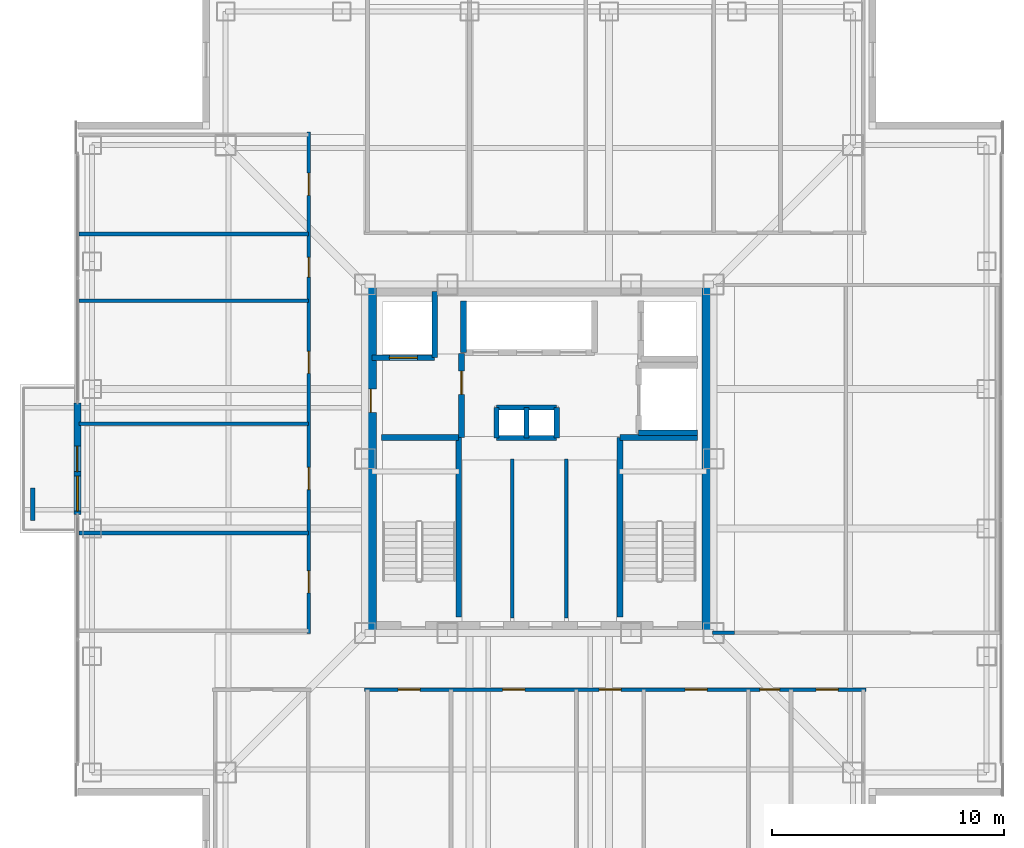
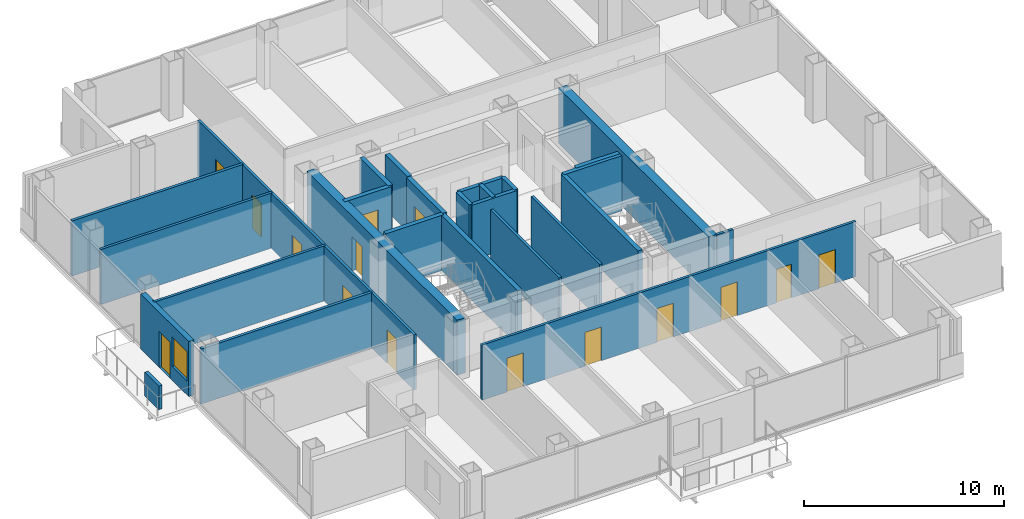
# One storey, part 11 of 16: 27 walls, 15 doors, 1 window, 16 openings.
"""IFC4 building model written with IfcOpenShell, lengths in metres."""

import ifcopenshell
import ifcopenshell.guid

model = None  # the IFC model being written
_history = None  # IfcOwnerHistory: only IFC2X3 demands one
_inside = {}  # id of a spatial element -> (the spatial element, [elements in it])
_under = {}  # id of a project, library or spatial element -> (it, [spatial elements below it])
_declared = {}  # id of a project -> (the project, [libraries it declares])
_typed = {}  # id of a type object -> (the type object, [elements of that type])
_made_of = {}  # id of a material, layer set ... -> (it, [elements and type objects made of it])


def new_model(schema):
    """Start an empty IFC model of exactly this schema.

    Asked for "IFC4X3", IfcOpenShell would pick the latest addendum, in which some entities
    have other attributes; the version numbers below select the first issue.
    IFC2X3 requires an IfcOwnerHistory on every rooted entity: one is made here for all.
    """
    global model, _history
    if schema == "IFC4X3":
        model = ifcopenshell.file(schema_version=(4, 3, 0, 0))
    else:
        model = ifcopenshell.file(schema=schema)
    _inside.clear()
    _under.clear()
    _declared.clear()
    _typed.clear()
    _made_of.clear()
    _history = None
    if model.schema == "IFC2X3":
        org = make("IfcOrganization", Name="unknown")
        user = make(
            "IfcPersonAndOrganization",
            ThePerson=make("IfcPerson", FamilyName="unknown"),
            TheOrganization=org,
        )
        app = make(
            "IfcApplication",
            ApplicationDeveloper=org,
            Version="unknown",
            ApplicationFullName="unknown",
            ApplicationIdentifier="unknown",
        )
        _history = make(
            "IfcOwnerHistory",
            OwningUser=user,
            OwningApplication=app,
            ChangeAction="ADDED",
            CreationDate=0,
        )
    return model


def make(cls, **values):
    """One entity of the class cls with the attributes given. An attribute that is None is left unset."""
    return model.create_entity(
        cls, **{name: value for name, value in values.items() if value is not None}
    )


def rooted(cls, **values):
    """An entity with a GlobalId (a new one), such as an element, a storey or a relation."""
    return make(cls, GlobalId=ifcopenshell.guid.new(), OwnerHistory=_history, **values)


def si_unit(unit_type, name, prefix=None):
    """IfcSIUnit, for example si_unit("LENGTHUNIT", "METRE", prefix="MILLI")."""
    return make("IfcSIUnit", UnitType=unit_type, Prefix=prefix, Name=name)


def assignment(units):
    """IfcUnitAssignment: the units of a project."""
    return None if units is None else make("IfcUnitAssignment", Units=units)


def point(xyz):
    """IfcCartesianPoint."""
    return None if xyz is None else make("IfcCartesianPoint", Coordinates=xyz)


def direction(xyz):
    """IfcDirection."""
    return None if xyz is None else make("IfcDirection", DirectionRatios=xyz)


def frame(location, z_axis=None, x_axis=None):
    """IfcAxis2Placement3D, a coordinate frame: its origin and axes. An axis left out is left unset."""
    return make(
        "IfcAxis2Placement3D",
        Location=point(location),
        Axis=direction(z_axis),
        RefDirection=direction(x_axis),
    )


def frame_2d(location, x_axis=None):
    """IfcAxis2Placement2D, a coordinate frame in the plane: its origin and x axis."""
    return make(
        "IfcAxis2Placement2D", Location=point(location), RefDirection=direction(x_axis)
    )


def origin():
    """The frame at (0, 0, 0) with its axes left unset."""
    return frame((0.0, 0.0, 0.0))


def place(relative_to, where):
    """IfcLocalPlacement: puts the frame where relative to a parent placement (None: the world)."""
    return make(
        "IfcLocalPlacement", PlacementRelTo=relative_to, RelativePlacement=where
    )


def context(
    kind, dimensions, precision=None, world=None, true_north=None, identifier=None
):
    """IfcGeometricRepresentationContext, for example the 3D "Model" context."""
    return make(
        "IfcGeometricRepresentationContext",
        ContextIdentifier=identifier,
        ContextType=kind,
        CoordinateSpaceDimension=dimensions,
        Precision=precision,
        WorldCoordinateSystem=world,
        TrueNorth=true_north,
    )


def subcontext(parent, identifier, kind, view, scale=None):
    """IfcGeometricRepresentationSubContext, for example "Body" below "Model"."""
    return make(
        "IfcGeometricRepresentationSubContext",
        ContextIdentifier=identifier,
        ContextType=kind,
        ParentContext=parent,
        TargetScale=scale,
        TargetView=view,
    )


def project(units=None, contexts=None):
    """IfcProject with its units and contexts."""
    return rooted(
        "IfcProject",
        Name="project",
        RepresentationContexts=contexts,
        UnitsInContext=assignment(units),
    )


def spatial(cls, under=None, at=None, **own):
    """A site, building, storey or space (cls), placed at a placement, below another one or the project."""
    s = rooted(cls, ObjectPlacement=at, **own)
    if under is not None:
        _under.setdefault(under.id(), (under, []))[1].append(s)
    return s


def profile(cls, at=None, kind="AREA", **sizes):
    """A parametric profile (cls). Its sizes go by their IFC names, for example OverallWidth=200.0."""
    return make(cls, ProfileType=kind, Position=at, **sizes)


def rectangle(**sizes):
    """IfcRectangleProfileDef."""
    return profile("IfcRectangleProfileDef", **sizes)


def extrude(swept, where, along, depth):
    """IfcExtrudedAreaSolid: the profile swept, set in the frame where, extruded along a direction by depth."""
    return make(
        "IfcExtrudedAreaSolid",
        SweptArea=swept,
        Position=where,
        ExtrudedDirection=direction(along),
        Depth=depth,
    )


def shape(context_of_items, identifier, shape_type, items):
    """IfcShapeRepresentation: the items that make up one representation, for example the "Body"."""
    return make(
        "IfcShapeRepresentation",
        ContextOfItems=context_of_items,
        RepresentationIdentifier=identifier,
        RepresentationType=shape_type,
        Items=items,
    )


def material(Name=None, Category=None):
    """IfcMaterial."""
    return make("IfcMaterial", Name=Name, Category=Category)


def layer(
    of_material, thickness, ventilated=None, Name=None, Category=None, Priority=None
):
    """IfcMaterialLayer: one layer of a wall or slab, of a material (None: an air gap)."""
    return make(
        "IfcMaterialLayer",
        Material=of_material,
        LayerThickness=thickness,
        IsVentilated=ventilated,
        Name=Name,
        Category=Category,
        Priority=Priority,
    )


def layer_set(layers, Name=None):
    """IfcMaterialLayerSet."""
    return make("IfcMaterialLayerSet", MaterialLayers=layers, LayerSetName=Name)


def made_of(thing, what):
    """Note that an element or type object is made of a material, layer set ...; save() writes the relation."""
    if what is not None:
        _made_of.setdefault(what.id(), (what, []))[1].append(thing)
    return thing


def type_object(cls, material=None, **own):
    """A type object (cls), such as IfcWallType, which elements share."""
    return made_of(rooted(cls, **own), material)


def element(
    cls,
    number,
    at=None,
    inside=None,
    cuts=None,
    type_object=None,
    material=None,
    context=None,
    identifier="Body",
    shape_type=None,
    held_by="IfcProductDefinitionShape",
    body=None,
    shapes=None,
    **own,
):
    """One element of the class cls, such as IfcWall. Its Tag is "e" and its number.

    at: its placement. inside: the storey or other place that contains it. cuts: it is an
    opening in that element (IfcRelVoidsElement). A single representation is given by context,
    identifier, shape_type and body (its items); several are given by shapes. held_by: the class
    of the entity that holds the representations. save() writes the other relations.
    """
    e = rooted(cls, Tag="e%d" % number, ObjectPlacement=at, **own)
    if body is not None:
        shapes = [shape(context, identifier, shape_type, body)]
    if shapes is not None:
        e.Representation = make(held_by, Representations=shapes)
    if inside is not None:
        _inside.setdefault(inside.id(), (inside, []))[1].append(e)
    if cuts is not None:
        rooted(
            "IfcRelVoidsElement", RelatingBuildingElement=cuts, RelatedOpeningElement=e
        )
    if type_object is not None:
        _typed.setdefault(type_object.id(), (type_object, []))[1].append(e)
    return made_of(e, material)


def fill(opening, filler):
    """IfcRelFillsElement: the door or window that sits in an opening."""
    return rooted(
        "IfcRelFillsElement",
        RelatingOpeningElement=opening,
        RelatedBuildingElement=filler,
    )


def aggregate(whole, parts):
    """IfcRelAggregates: a whole, such as a stair, and the parts it consists of."""
    return rooted("IfcRelAggregates", RelatingObject=whole, RelatedObjects=parts)


def save(model, path):
    """Write the relations noted so far, then the file.

    IfcRelAggregates (storeys below a building ...), IfcRelContainedInSpatialStructure (elements
    in a storey), IfcRelDefinesByType, IfcRelAssociatesMaterial and IfcRelDeclares: one each for
    every whole, place, type object, material and project.
    """
    for whole, parts in _under.values():
        aggregate(whole, parts)
    for where, things in _inside.values():
        rooted(
            "IfcRelContainedInSpatialStructure",
            RelatedElements=things,
            RelatingStructure=where,
        )
    for kind, things in _typed.values():
        rooted("IfcRelDefinesByType", RelatedObjects=things, RelatingType=kind)
    for what, things in _made_of.values():
        rooted("IfcRelAssociatesMaterial", RelatedObjects=things, RelatingMaterial=what)
    for by, libraries in _declared.values():
        rooted("IfcRelDeclares", RelatingContext=by, RelatedDefinitions=libraries)
    model.write(path)


model = new_model("IFC4")

# Units and contexts
model_context = context("Model", 3, precision=1e-05, world=origin(), true_north=direction((0.0, 1.0)))
body_context = subcontext(model_context, "Body", "Model", "MODEL_VIEW")
ifc_project = project(units=[si_unit("LENGTHUNIT", "METRE"), si_unit("AREAUNIT", "SQUARE_METRE"), si_unit("VOLUMEUNIT", "CUBIC_METRE"), si_unit("PLANEANGLEUNIT", "RADIAN"), si_unit("MASSUNIT", "GRAM", prefix="KILO")], contexts=[model_context])

# Site, building, storey
site_placement = place(None, origin())
site = spatial("IfcSite", under=ifc_project, at=site_placement, CompositionType="ELEMENT")
building_placement = place(site_placement, origin())
building = spatial("IfcBuilding", under=site, at=building_placement, Name="Trevonay Congress Spire", CompositionType="ELEMENT")
storey_placement = place(building_placement, frame((0.0, 0.0, 177.0)))
storey = spatial("IfcBuildingStorey", under=building, at=storey_placement, Name="L45", CompositionType="ELEMENT", Elevation=177.0)

# Wall, opening, door
ifc_material_1 = material(Name="Concrete C50/60", Category="concrete")
ifc_layer_1 = layer(ifc_material_1, 0.5, Name="Concrete C50/60")
ifc_layer_set_1 = layer_set([ifc_layer_1], Name="Concrete C50/60")
wall_type_1 = type_object("IfcWallType", Name="WAL-CORE-500", PredefinedType="SHEAR", material=ifc_layer_set_1)
wall_1_placement = place(storey_placement, frame((-7.25, -7.5, 0.0), z_axis=(0.0, 0.0, 1.0), x_axis=(0.0, 1.0, 0.0)))
wall_1 = element("IfcWall", 1, at=wall_1_placement, inside=storey, type_object=wall_type_1, Name="L45 West structural core shear wall", PredefinedType="SHEAR", context=body_context, shape_type="SweptSolid", body=[
    extrude(rectangle(XDim=15.0, YDim=0.5, at=frame_2d((7.5, 0.0))), origin(), (0.0, 0.0, 1.0), 3.360107421875),
])
opening_1_placement = place(wall_1_placement, frame((9.5, 0.0, 0.0)))
opening_1 = element("IfcOpeningElement", 2, at=opening_1_placement, cuts=wall_1, Name="Opening D06", PredefinedType="OPENING", context=body_context, shape_type="SweptSolid", body=[
    extrude(rectangle(XDim=1.0, YDim=2.080078125, at=frame_2d((0.5, 1.0400390625))), frame((0.0, 0.260009765625, 0.0), z_axis=(0.0, -1.0, 0.0), x_axis=(1.0, 0.0, 0.0)), (0.0, 0.0, 1.0), 0.52001953125),
])
ifc_material_2 = material(Name="Steel ASTM A572 Grade 50", Category="steel")
door_type_1 = type_object("IfcDoorType", Name="DOR-FIRE-100", OperationType="NOTDEFINED", PredefinedType="DOOR", material=ifc_material_2)
door_1_placement = place(opening_1_placement, origin())
door_1 = element("IfcDoor", 3, at=door_1_placement, inside=storey, type_object=door_type_1, Name="L45 Firefighting Lift Lobby West Corridor Door", OperationType="SINGLE_SWING_LEFT", OverallHeight=2.080078125, OverallWidth=1.0, PredefinedType="DOOR", context=body_context, shape_type="SweptSolid", body=[
    extrude(rectangle(XDim=1.0, YDim=2.080078125, at=frame_2d((0.5, 1.0400390625))), frame((0.0, 0.02490234375, 0.0), z_axis=(0.0, -1.0, 0.0), x_axis=(1.0, 0.0, 0.0)), (0.0, 0.0, 1.0), 0.050048828125),
])
fill(opening_1, door_1)

# Wall
wall_2_placement = place(storey_placement, frame((7.25, -7.5, 0.0), z_axis=(0.0, 0.0, 1.0), x_axis=(0.0, 1.0, 0.0)))
element("IfcWall", 4, at=wall_2_placement, inside=storey, type_object=wall_type_1, Name="L45 East structural core shear wall", PredefinedType="SHEAR", context=body_context, shape_type="SweptSolid", body=[
    extrude(rectangle(XDim=15.0, YDim=0.5, at=frame_2d((7.5, 0.0))), origin(), (0.0, 0.0, 1.0), 3.360107421875),
])

# Wall, openings, doors
ifc_material_3 = material(Name="Concrete C40/50", Category="concrete")
ifc_layer_2 = layer(ifc_material_3, 0.14990234375, Name="Concrete C40/50")
ifc_layer_set_2 = layer_set([ifc_layer_2], Name="Concrete C40/50")
wall_type_2 = type_object("IfcWallType", Name="WAL-CORR-150", PredefinedType="PARTITIONING", material=ifc_layer_set_2)
wall_3_placement = place(storey_placement, frame((-7.52001953125, -9.929931640625, 0.0), z_axis=(0.0, 0.0, 1.0), x_axis=(1.0, 0.0, 0.0)))
wall_3 = element("IfcWall", 5, at=wall_3_placement, inside=storey, type_object=wall_type_2, Name="L45 interior wall WP-L45SE-COR", PredefinedType="PARTITIONING", context=body_context, shape_type="SweptSolid", body=[
    extrude(rectangle(XDim=21.590087890625, YDim=0.14990234375, at=frame_2d((10.794921875, 0.0))), origin(), (0.0, 0.0, 1.0), 3.360107421875),
])
opening_2_placement = place(wall_3_placement, frame((1.445068359375, 0.0, 0.0)))
opening_2 = element("IfcOpeningElement", 6, at=opening_2_placement, cuts=wall_3, Name="Opening D07", PredefinedType="OPENING", context=body_context, shape_type="SweptSolid", body=[
    extrude(rectangle(XDim=0.949951171875, YDim=2.06005859375, at=frame_2d((0.47509765625, 1.030029296875))), frame((0.0, 0.0849609375, 0.0), z_axis=(0.0, -1.0, 0.0), x_axis=(1.0, 0.0, 0.0)), (0.0, 0.0, 1.0), 0.169921875),
])
opening_3_placement = place(wall_3_placement, frame((5.945068359375, 0.0, 0.0)))
opening_3 = element("IfcOpeningElement", 7, at=opening_3_placement, cuts=wall_3, Name="Opening D07", PredefinedType="OPENING", context=body_context, shape_type="SweptSolid", body=[
    extrude(rectangle(XDim=0.949951171875, YDim=2.06005859375, at=frame_2d((0.47509765625, 1.030029296875))), frame((0.0, 0.0849609375, 0.0), z_axis=(0.0, -1.0, 0.0), x_axis=(1.0, 0.0, 0.0)), (0.0, 0.0, 1.0), 0.169921875),
])
opening_4_placement = place(wall_3_placement, frame((10.094970703125, 0.0, 0.0)))
opening_4 = element("IfcOpeningElement", 8, at=opening_4_placement, cuts=wall_3, Name="Opening D07", PredefinedType="OPENING", context=body_context, shape_type="SweptSolid", body=[
    extrude(rectangle(XDim=0.949951171875, YDim=2.06005859375, at=frame_2d((0.47509765625, 1.030029296875))), frame((0.0, 0.0849609375, 0.0), z_axis=(0.0, -1.0, 0.0), x_axis=(1.0, 0.0, 0.0)), (0.0, 0.0, 1.0), 0.169921875),
])
opening_5_placement = place(wall_3_placement, frame((13.794921875, 0.0, 0.0)))
opening_5 = element("IfcOpeningElement", 9, at=opening_5_placement, cuts=wall_3, Name="Opening D07", PredefinedType="OPENING", context=body_context, shape_type="SweptSolid", body=[
    extrude(rectangle(XDim=0.949951171875, YDim=2.06005859375, at=frame_2d((0.47509765625, 1.030029296875))), frame((0.0, 0.0849609375, 0.0), z_axis=(0.0, -1.0, 0.0), x_axis=(1.0, 0.0, 0.0)), (0.0, 0.0, 1.0), 0.169921875),
])
opening_6_placement = place(wall_3_placement, frame((17.010009765625, 0.0, 0.0)))
opening_6 = element("IfcOpeningElement", 10, at=opening_6_placement, cuts=wall_3, Name="Opening D10", PredefinedType="OPENING", context=body_context, shape_type="SweptSolid", body=[
    extrude(rectangle(XDim=0.85009765625, YDim=2.050048828125, at=frame_2d((0.425048828125, 1.02490234375))), frame((0.0, 0.0849609375, 0.0), z_axis=(0.0, -1.0, 0.0), x_axis=(1.0, 0.0, 0.0)), (0.0, 0.0, 1.0), 0.169921875),
])
opening_7_placement = place(wall_3_placement, frame((19.43505859375, 0.0, 0.0)))
opening_7 = element("IfcOpeningElement", 11, at=opening_7_placement, cuts=wall_3, Name="Opening D07", PredefinedType="OPENING", context=body_context, shape_type="SweptSolid", body=[
    extrude(rectangle(XDim=0.949951171875, YDim=2.06005859375, at=frame_2d((0.47509765625, 1.030029296875))), frame((0.0, 0.0849609375, 0.0), z_axis=(0.0, -1.0, 0.0), x_axis=(1.0, 0.0, 0.0)), (0.0, 0.0, 1.0), 0.169921875),
])
ifc_material_4 = material(Name="Pale Anodised Aluminium EN AW-6063-T6", Category="aluminium")
door_type_2 = type_object("IfcDoorType", Name="DOR-OFFICE-95", OperationType="NOTDEFINED", PredefinedType="DOOR", material=ifc_material_4)
door_2_placement = place(opening_2_placement, origin())
door_2 = element("IfcDoor", 12, at=door_2_placement, inside=storey, type_object=door_type_2, Name="L45 Admiralty Law Office 1 Door", OperationType="SINGLE_SWING_LEFT", OverallHeight=2.06005859375, OverallWidth=0.949951171875, PredefinedType="DOOR", context=body_context, shape_type="SweptSolid", body=[
    extrude(rectangle(XDim=0.949951171875, YDim=2.06005859375, at=frame_2d((0.47509765625, 1.030029296875))), frame((0.0, 0.02490234375, 0.0), z_axis=(0.0, -1.0, 0.0), x_axis=(1.0, 0.0, 0.0)), (0.0, 0.0, 1.0), 0.050048828125),
])
fill(opening_2, door_2)
door_3_placement = place(opening_3_placement, origin())
door_3 = element("IfcDoor", 13, at=door_3_placement, inside=storey, type_object=door_type_2, Name="L45 Admiralty Law Office 2 Door", OperationType="SINGLE_SWING_RIGHT", OverallHeight=2.06005859375, OverallWidth=0.949951171875, PredefinedType="DOOR", context=body_context, shape_type="SweptSolid", body=[
    extrude(rectangle(XDim=0.949951171875, YDim=2.06005859375, at=frame_2d((0.47509765625, 1.030029296875))), frame((0.0, 0.02490234375, 0.0), z_axis=(0.0, -1.0, 0.0), x_axis=(1.0, 0.0, 0.0)), (0.0, 0.0, 1.0), 0.050048828125),
])
fill(opening_3, door_3)
door_4_placement = place(opening_4_placement, origin())
door_4 = element("IfcDoor", 14, at=door_4_placement, inside=storey, type_object=door_type_2, Name="L45 Marine Insurance Office 3 Door", OperationType="SINGLE_SWING_LEFT", OverallHeight=2.06005859375, OverallWidth=0.949951171875, PredefinedType="DOOR", context=body_context, shape_type="SweptSolid", body=[
    extrude(rectangle(XDim=0.949951171875, YDim=2.06005859375, at=frame_2d((0.47509765625, 1.030029296875))), frame((0.0, 0.02490234375, 0.0), z_axis=(0.0, -1.0, 0.0), x_axis=(1.0, 0.0, 0.0)), (0.0, 0.0, 1.0), 0.050048828125),
])
fill(opening_4, door_4)
door_5_placement = place(opening_5_placement, origin())
door_5 = element("IfcDoor", 15, at=door_5_placement, inside=storey, type_object=door_type_2, Name="L45 Paralegal Office 4 Door", OperationType="SINGLE_SWING_RIGHT", OverallHeight=2.06005859375, OverallWidth=0.949951171875, PredefinedType="DOOR", context=body_context, shape_type="SweptSolid", body=[
    extrude(rectangle(XDim=0.949951171875, YDim=2.06005859375, at=frame_2d((0.47509765625, 1.030029296875))), frame((0.0, 0.02490234375, 0.0), z_axis=(0.0, -1.0, 0.0), x_axis=(1.0, 0.0, 0.0)), (0.0, 0.0, 1.0), 0.050048828125),
])
fill(opening_5, door_5)
door_6_placement = place(opening_7_placement, origin())
door_6 = element("IfcDoor", 16, at=door_6_placement, inside=storey, type_object=door_type_2, Name="L45 Floor Supplies and Copy Room Door", OperationType="SINGLE_SWING_RIGHT", OverallHeight=2.06005859375, OverallWidth=0.949951171875, PredefinedType="DOOR", context=body_context, shape_type="SweptSolid", body=[
    extrude(rectangle(XDim=0.949951171875, YDim=2.06005859375, at=frame_2d((0.47509765625, 1.030029296875))), frame((0.0, 0.02490234375, 0.0), z_axis=(0.0, -1.0, 0.0), x_axis=(1.0, 0.0, 0.0)), (0.0, 0.0, 1.0), 0.050048828125),
])
fill(opening_7, door_6)
door_type_3 = type_object("IfcDoorType", Name="DOR-WC-85", OperationType="NOTDEFINED", PredefinedType="DOOR", material=ifc_material_4)
door_7_placement = place(opening_6_placement, origin())
door_7 = element("IfcDoor", 17, at=door_7_placement, inside=storey, type_object=door_type_3, Name="L45 Accessible WC Door", OperationType="SINGLE_SWING_LEFT", OverallHeight=2.050048828125, OverallWidth=0.85009765625, PredefinedType="DOOR", context=body_context, shape_type="SweptSolid", body=[
    extrude(rectangle(XDim=0.85009765625, YDim=2.050048828125, at=frame_2d((0.425048828125, 1.02490234375))), frame((0.0, 0.02490234375, 0.0), z_axis=(0.0, -1.0, 0.0), x_axis=(1.0, 0.0, 0.0)), (0.0, 0.0, 1.0), 0.050048828125),
])
fill(opening_6, door_7)

wall_4_placement = place(storey_placement, frame((-9.929931640625, -7.52001953125, 0.0), z_axis=(0.0, 0.0, 1.0), x_axis=(0.0, 1.0, 0.0)))
wall_4 = element("IfcWall", 18, at=wall_4_placement, inside=storey, type_object=wall_type_2, Name="L45 interior wall WP-L45NW-COR", PredefinedType="PARTITIONING", context=body_context, shape_type="SweptSolid", body=[
    extrude(rectangle(XDim=21.590087890625, YDim=0.14990234375, at=frame_2d((10.794921875, 0.0))), origin(), (0.0, 0.0, 1.0), 3.360107421875),
])
opening_8_placement = place(wall_4_placement, frame((1.7451171875, 0.0, 0.0)))
opening_8 = element("IfcOpeningElement", 19, at=opening_8_placement, cuts=wall_4, Name="Opening D07", PredefinedType="OPENING", context=body_context, shape_type="SweptSolid", body=[
    extrude(rectangle(XDim=0.949951171875, YDim=2.06005859375, at=frame_2d((0.47509765625, 1.030029296875))), frame((0.0, 0.0849609375, 0.0), z_axis=(0.0, -1.0, 0.0), x_axis=(1.0, 0.0, 0.0)), (0.0, 0.0, 1.0), 0.169921875),
])
opening_9_placement = place(wall_4_placement, frame((6.195068359375, 0.0, 0.0)))
opening_9 = element("IfcOpeningElement", 20, at=opening_9_placement, cuts=wall_4, Name="Opening D07", PredefinedType="OPENING", context=body_context, shape_type="SweptSolid", body=[
    extrude(rectangle(XDim=0.949951171875, YDim=2.06005859375, at=frame_2d((0.47509765625, 1.030029296875))), frame((0.0, 0.0849609375, 0.0), z_axis=(0.0, -1.0, 0.0), x_axis=(1.0, 0.0, 0.0)), (0.0, 0.0, 1.0), 0.169921875),
])
opening_10_placement = place(wall_4_placement, frame((11.195068359375, 0.0, 0.0)))
opening_10 = element("IfcOpeningElement", 21, at=opening_10_placement, cuts=wall_4, Name="Opening D07", PredefinedType="OPENING", context=body_context, shape_type="SweptSolid", body=[
    extrude(rectangle(XDim=0.949951171875, YDim=2.06005859375, at=frame_2d((0.47509765625, 1.030029296875))), frame((0.0, 0.0849609375, 0.0), z_axis=(0.0, -1.0, 0.0), x_axis=(1.0, 0.0, 0.0)), (0.0, 0.0, 1.0), 0.169921875),
])
opening_11_placement = place(wall_4_placement, frame((15.3349609375, 0.0, 0.0)))
opening_11 = element("IfcOpeningElement", 22, at=opening_11_placement, cuts=wall_4, Name="Opening D10", PredefinedType="OPENING", context=body_context, shape_type="SweptSolid", body=[
    extrude(rectangle(XDim=0.85009765625, YDim=2.050048828125, at=frame_2d((0.425048828125, 1.02490234375))), frame((0.0, 0.0849609375, 0.0), z_axis=(0.0, -1.0, 0.0), x_axis=(1.0, 0.0, 0.0)), (0.0, 0.0, 1.0), 0.169921875),
])
opening_12_placement = place(wall_4_placement, frame((18.860107421875, 0.0, 0.0)))
opening_12 = element("IfcOpeningElement", 23, at=opening_12_placement, cuts=wall_4, Name="Opening D07", PredefinedType="OPENING", context=body_context, shape_type="SweptSolid", body=[
    extrude(rectangle(XDim=0.949951171875, YDim=2.06005859375, at=frame_2d((0.47509765625, 1.030029296875))), frame((0.0, 0.0849609375, 0.0), z_axis=(0.0, -1.0, 0.0), x_axis=(1.0, 0.0, 0.0)), (0.0, 0.0, 1.0), 0.169921875),
])
door_8_placement = place(opening_8_placement, origin())
door_8 = element("IfcDoor", 24, at=door_8_placement, inside=storey, type_object=door_type_2, Name="L45 Charterparty Office 5 Door", OperationType="SINGLE_SWING_LEFT", OverallHeight=2.06005859375, OverallWidth=0.949951171875, PredefinedType="DOOR", context=body_context, shape_type="SweptSolid", body=[
    extrude(rectangle(XDim=0.949951171875, YDim=2.06005859375, at=frame_2d((0.47509765625, 1.030029296875))), frame((0.0, 0.02490234375, 0.0), z_axis=(0.0, -1.0, 0.0), x_axis=(1.0, 0.0, 0.0)), (0.0, 0.0, 1.0), 0.050048828125),
])
fill(opening_8, door_8)
door_9_placement = place(opening_9_placement, origin())
door_9 = element("IfcDoor", 25, at=door_9_placement, inside=storey, type_object=door_type_2, Name="L45 Claims Office 6 Door", OperationType="SINGLE_SWING_RIGHT", OverallHeight=2.06005859375, OverallWidth=0.949951171875, PredefinedType="DOOR", context=body_context, shape_type="SweptSolid", body=[
    extrude(rectangle(XDim=0.949951171875, YDim=2.06005859375, at=frame_2d((0.47509765625, 1.030029296875))), frame((0.0, 0.02490234375, 0.0), z_axis=(0.0, -1.0, 0.0), x_axis=(1.0, 0.0, 0.0)), (0.0, 0.0, 1.0), 0.050048828125),
])
fill(opening_9, door_9)
door_10_placement = place(opening_10_placement, origin())
door_10 = element("IfcDoor", 26, at=door_10_placement, inside=storey, type_object=door_type_2, Name="L45 Registry Office 7 Door", OperationType="SINGLE_SWING_LEFT", OverallHeight=2.06005859375, OverallWidth=0.949951171875, PredefinedType="DOOR", context=body_context, shape_type="SweptSolid", body=[
    extrude(rectangle(XDim=0.949951171875, YDim=2.06005859375, at=frame_2d((0.47509765625, 1.030029296875))), frame((0.0, 0.02490234375, 0.0), z_axis=(0.0, -1.0, 0.0), x_axis=(1.0, 0.0, 0.0)), (0.0, 0.0, 1.0), 0.050048828125),
])
fill(opening_10, door_10)
door_11_placement = place(opening_12_placement, origin())
door_11 = element("IfcDoor", 27, at=door_11_placement, inside=storey, type_object=door_type_2, Name="L45 Floor Supplies and Copy Room Door", OperationType="SINGLE_SWING_LEFT", OverallHeight=2.06005859375, OverallWidth=0.949951171875, PredefinedType="DOOR", context=body_context, shape_type="SweptSolid", body=[
    extrude(rectangle(XDim=0.949951171875, YDim=2.06005859375, at=frame_2d((0.47509765625, 1.030029296875))), frame((0.0, 0.02490234375, 0.0), z_axis=(0.0, -1.0, 0.0), x_axis=(1.0, 0.0, 0.0)), (0.0, 0.0, 1.0), 0.050048828125),
])
fill(opening_12, door_11)
door_12_placement = place(opening_11_placement, origin())
door_12 = element("IfcDoor", 28, at=door_12_placement, inside=storey, type_object=door_type_3, Name="L45 Male Restroom WC Door", OperationType="SINGLE_SWING_RIGHT", OverallHeight=2.050048828125, OverallWidth=0.85009765625, PredefinedType="DOOR", context=body_context, shape_type="SweptSolid", body=[
    extrude(rectangle(XDim=0.85009765625, YDim=2.050048828125, at=frame_2d((0.425048828125, 1.02490234375))), frame((0.0, 0.02490234375, 0.0), z_axis=(0.0, -1.0, 0.0), x_axis=(1.0, 0.0, 0.0)), (0.0, 0.0, 1.0), 0.050048828125),
])
fill(opening_11, door_12)

# Wall
wall_5_placement = place(storey_placement, frame((7.449951171875, -7.47998046875, 0.0), z_axis=(0.0, 0.0, 1.0), x_axis=(1.0, 0.0, 0.0)))
element("IfcWall", 29, at=wall_5_placement, inside=storey, type_object=wall_type_2, Name="L45 interior wall WP-L45E-STUB", PredefinedType="PARTITIONING", context=body_context, shape_type="SweptSolid", body=[
    extrude(rectangle(XDim=0.949951171875, YDim=0.14990234375, at=frame_2d((0.47509765625, 0.0))), origin(), (0.0, 0.0, 1.0), 3.360107421875),
])

# Wall, openings, door, window
ifc_material_5 = material(Name="Precast concrete C40/50", Category="concrete")
ifc_layer_3 = layer(ifc_material_5, 0.300048828125, Name="Precast concrete C40/50")
ifc_layer_set_3 = layer_set([ifc_layer_3], Name="Precast concrete C40/50")
wall_type_3 = type_object("IfcWallType", Name="WAL-EXT-PRECAST-300", PredefinedType="SOLIDWALL", material=ifc_layer_set_3)
wall_6_placement = place(storey_placement, frame((-19.8798828125, -2.39990234375, 0.0), z_axis=(0.0, 0.0, 1.0), x_axis=(0.0, 1.0, 0.0)))
wall_6 = element("IfcWall", 30, at=wall_6_placement, inside=storey, type_object=wall_type_3, Name="L45 W glazed balcony portal exterior wall", PredefinedType="SOLIDWALL", context=body_context, shape_type="SweptSolid", body=[
    extrude(rectangle(XDim=4.7998046875, YDim=0.300048828125, at=frame_2d((2.39990234375, 0.0))), origin(), (0.0, 0.0, 1.0), 3.360107421875),
])
opening_13_placement = place(wall_6_placement, frame((1.85009765625, 0.0, 0.0)))
opening_13 = element("IfcOpeningElement", 31, at=opening_13_placement, cuts=wall_6, Name="Opening D03", PredefinedType="OPENING", context=body_context, shape_type="SweptSolid", body=[
    extrude(rectangle(XDim=1.10009765625, YDim=2.199951171875, at=frame_2d((0.550048828125, 1.10009765625))), frame((0.0, 0.16015625, 0.0), z_axis=(0.0, -1.0, 0.0), x_axis=(1.0, 0.0, 0.0)), (0.0, 0.0, 1.0), 0.320068359375),
])
opening_14_placement = place(wall_6_placement, frame((0.14990234375, 0.0, 0.85009765625)))
opening_14 = element("IfcOpeningElement", 32, at=opening_14_placement, cuts=wall_6, Name="Opening WN03", PredefinedType="OPENING", context=body_context, shape_type="SweptSolid", body=[
    extrude(rectangle(XDim=1.5, YDim=1.800048828125, at=frame_2d((0.75, 0.89990234375))), frame((0.0, 0.16015625, 0.0), z_axis=(0.0, -1.0, 0.0), x_axis=(1.0, 0.0, 0.0)), (0.0, 0.0, 1.0), 0.320068359375),
])
door_type_4 = type_object("IfcDoorType", Name="DOR-EXT-BAL-110", OperationType="NOTDEFINED", PredefinedType="DOOR", material=ifc_material_4)
door_13_placement = place(opening_13_placement, origin())
door_13 = element("IfcDoor", 33, at=door_13_placement, inside=storey, type_object=door_type_4, Name="L45 W glazed outdoor terrace and balcony door", OperationType="SINGLE_SWING_LEFT", OverallHeight=2.199951171875, OverallWidth=1.10009765625, PredefinedType="DOOR", context=body_context, shape_type="SweptSolid", body=[
    extrude(rectangle(XDim=1.10009765625, YDim=2.199951171875, at=frame_2d((0.550048828125, 1.10009765625))), frame((0.0, 0.02490234375, 0.0), z_axis=(0.0, -1.0, 0.0), x_axis=(1.0, 0.0, 0.0)), (0.0, 0.0, 1.0), 0.050048828125),
])
fill(opening_13, door_13)
ifc_material_6 = material(Name="Insulated Low-E Vision Glass IGU", Category="glass")
window_type = type_object("IfcWindowType", Name="WIN-NOTCH-150X180", PartitioningType="SINGLE_PANEL", PredefinedType="WINDOW", material=ifc_material_6)
window_placement = place(opening_14_placement, origin())
window = element("IfcWindow", 34, at=window_placement, inside=storey, type_object=window_type, Name="L45 W balcony sidelight window L", OverallHeight=1.800048828125, OverallWidth=1.5, PartitioningType="SINGLE_PANEL", PredefinedType="WINDOW", context=body_context, shape_type="SweptSolid", body=[
    extrude(rectangle(XDim=1.5, YDim=1.800048828125, at=frame_2d((0.75, 0.89990234375))), frame((0.0, 0.030029296875, 0.0), z_axis=(0.0, -1.0, 0.0), x_axis=(1.0, 0.0, 0.0)), (0.0, 0.0, 1.0), 0.06005859375),
])
fill(opening_14, window)

# Walls
ifc_layer_4 = layer(ifc_material_3, 0.14990234375, Name="Concrete C40/50")
ifc_layer_set_4 = layer_set([ifc_layer_4], Name="Concrete C40/50")
wall_type_4 = type_object("IfcWallType", Name="WAL-PART-150", PredefinedType="PARTITIONING", material=ifc_layer_set_4)
for number, where, z_axis, x_axis, name in (
    (35, (-1.169921875, -6.85009765625, 0.0), (0.0, 0.0, 1.0), (0.0, 1.0, 0.0), "L45 interior wall CW-F2A-L45"),
    (36, (1.169921875, -6.85009765625, 0.0), (0.0, 0.0, 1.0), (0.0, 1.0, 0.0), "L45 interior wall CW-F2B-L45"),
):
    element("IfcWall", number, at=place(storey_placement, frame(where, z_axis=z_axis, x_axis=x_axis)), inside=storey, type_object=wall_type_4, Name=name, PredefinedType="PARTITIONING", context=body_context, shape_type="SweptSolid", body=[
        extrude(rectangle(XDim=6.85009765625, YDim=0.14990234375, at=frame_2d((3.425048828125, 0.0))), origin(), (0.0, 0.0, 1.0), 3.360107421875),
    ])
for number, where, z_axis, x_axis, name in (
    (37, (-19.820068359375, 1.5, 0.0), (0.0, 0.0, 1.0), (1.0, 0.0, 0.0), "L45 interior wall WP-L45NW-DIV3"),
    (38, (-19.820068359375, 6.800048828125, 0.0), (0.0, 0.0, 1.0), (1.0, 0.0, 0.0), "L45 interior wall WP-L45NW-DIV4"),
):
    element("IfcWall", number, at=place(storey_placement, frame(where, z_axis=z_axis, x_axis=x_axis)), inside=storey, type_object=wall_type_4, Name=name, PredefinedType="PARTITIONING", context=body_context, shape_type="SweptSolid", body=[
        extrude(rectangle(XDim=9.89013671875, YDim=0.14990234375, at=frame_2d((4.945068359375, 0.0))), origin(), (0.0, 0.0, 1.0), 3.360107421875),
    ])
ifc_layer_5 = layer(ifc_material_3, 0.219970703125, Name="Concrete C40/50")
ifc_layer_set_5 = layer_set([ifc_layer_5], Name="Concrete C40/50")
wall_type_5 = type_object("IfcWallType", Name="WAL-SHAFT-220", PredefinedType="PARTITIONING", material=ifc_layer_set_5)
for number, where, z_axis, x_axis, name in (
    (39, (-1.85009765625, 2.199951171875, 0.0), (0.0, 0.0, 1.0), (1.0, 0.0, 0.0), "L45 interior shaft wall WSH-L45-RSR-N"),
    (40, (-1.85009765625, 0.89990234375, 0.0), (0.0, 0.0, 1.0), (1.0, 0.0, 0.0), "L45 interior shaft wall WSH-L45-RSR-S"),
):
    element("IfcWall", number, at=place(storey_placement, frame(where, z_axis=z_axis, x_axis=x_axis)), inside=storey, type_object=wall_type_5, Name=name, PredefinedType="PARTITIONING", context=body_context, shape_type="SweptSolid", body=[
        extrude(rectangle(XDim=2.60009765625, YDim=0.219970703125, at=frame_2d((1.300048828125, 0.0))), origin(), (0.0, 0.0, 1.0), 3.360107421875),
    ])
for number, where, z_axis, x_axis, name in (
    (41, (-0.550048828125, 0.89990234375, 0.0), (0.0, 0.0, 1.0), (0.0, 1.0, 0.0), "L45 interior shaft wall WSH-L45-RSR-M"),
    (42, (0.75, 0.89990234375, 0.0), (0.0, 0.0, 1.0), (0.0, 1.0, 0.0), "L45 interior shaft wall WSH-L45-RSR-E"),
    (43, (-1.85009765625, 0.89990234375, 0.0), (0.0, 0.0, 1.0), (0.0, 1.0, 0.0), "L45 interior shaft wall WSH-L45-RSR-W"),
):
    element("IfcWall", number, at=place(storey_placement, frame(where, z_axis=z_axis, x_axis=x_axis)), inside=storey, type_object=wall_type_5, Name=name, PredefinedType="PARTITIONING", context=body_context, shape_type="SweptSolid", body=[
        extrude(rectangle(XDim=1.300048828125, YDim=0.219970703125, at=frame_2d((0.64990234375, 0.0))), origin(), (0.0, 0.0, 1.0), 3.360107421875),
    ])
ifc_layer_6 = layer(ifc_material_3, 0.25, Name="Concrete C40/50")
ifc_layer_set_6 = layer_set([ifc_layer_6], Name="Concrete C40/50")
wall_type_6 = type_object("IfcWallType", Name="WAL-SHAFT-250", PredefinedType="SHEAR", material=ifc_layer_set_6)
wall_7_placement = place(storey_placement, frame((-3.260009765625, 4.580078125, 0.0), z_axis=(0.0, 0.0, 1.0), x_axis=(0.0, 1.0, 0.0)))
element("IfcWall", 44, at=wall_7_placement, inside=storey, type_object=wall_type_6, Name="L45 interior shaft wall WSH-L45-B3-W", PredefinedType="SHEAR", context=body_context, shape_type="SweptSolid", body=[
    extrude(rectangle(XDim=2.219970703125, YDim=0.25, at=frame_2d((1.10986328125, 0.0))), origin(), (0.0, 0.0, 1.0), 3.360107421875),
])

# Wall, opening, door
wall_8_placement = place(storey_placement, frame((-7.199951171875, 4.35009765625, 0.0), z_axis=(0.0, 0.0, 1.0), x_axis=(1.0, 0.0, 0.0)))
wall_8 = element("IfcWall", 45, at=wall_8_placement, inside=storey, type_object=wall_type_6, Name="L45 interior shaft wall WSH-L45-FF1-S", PredefinedType="SHEAR", context=body_context, shape_type="SweptSolid", body=[
    extrude(rectangle(XDim=2.699951171875, YDim=0.25, at=frame_2d((1.35009765625, 0.0))), origin(), (0.0, 0.0, 1.0), 3.360107421875),
])
opening_15_placement = place(wall_8_placement, frame((0.75, 0.0, 0.0)))
opening_15 = element("IfcOpeningElement", 46, at=opening_15_placement, cuts=wall_8, Name="Opening LD04", PredefinedType="OPENING", context=body_context, shape_type="SweptSolid", body=[
    extrude(rectangle(XDim=1.199951171875, YDim=2.199951171875, at=frame_2d((0.60009765625, 1.10009765625))), frame((0.0, 0.135009765625, 0.0), z_axis=(0.0, -1.0, 0.0), x_axis=(1.0, 0.0, 0.0)), (0.0, 0.0, 1.0), 0.27001953125),
])
door_type_5 = type_object("IfcDoorType", Name="DOR-LIFT-LD04", OperationType="DOUBLE_DOOR_SLIDING", PredefinedType="DOOR", material=ifc_material_2)
door_14_placement = place(opening_15_placement, origin())
door_14 = element("IfcDoor", 47, at=door_14_placement, inside=storey, type_object=door_type_5, Name="L45 Firefighting lift FFL-01 landing door", OperationType="DOUBLE_DOOR_SLIDING", OverallHeight=2.199951171875, OverallWidth=1.199951171875, PredefinedType="DOOR", context=body_context, shape_type="SweptSolid", body=[
    extrude(rectangle(XDim=1.199951171875, YDim=2.199951171875, at=frame_2d((0.60009765625, 1.10009765625))), frame((0.0, 0.02490234375, 0.0), z_axis=(0.0, -1.0, 0.0), x_axis=(1.0, 0.0, 0.0)), (0.0, 0.0, 1.0), 0.050048828125),
])
fill(opening_15, door_14)

# Walls
wall_9_placement = place(storey_placement, frame((-4.5, 4.35009765625, 0.0), z_axis=(0.0, 0.0, 1.0), x_axis=(0.0, 1.0, 0.0)))
element("IfcWall", 48, at=wall_9_placement, inside=storey, type_object=wall_type_6, Name="L45 interior shaft wall WSH-L45-FF1-E", PredefinedType="SHEAR", context=body_context, shape_type="SweptSolid", body=[
    extrude(rectangle(XDim=2.849853515625, YDim=0.25, at=frame_2d((1.4248046875, 0.0))), origin(), (0.0, 0.0, 1.0), 3.360107421875),
])
wall_10_placement = place(storey_placement, frame((4.280029296875, 1.1201171875, 0.0), z_axis=(0.0, 0.0, 1.0), x_axis=(1.0, 0.0, 0.0)))
element("IfcWall", 49, at=wall_10_placement, inside=storey, type_object=wall_type_6, Name="L45 interior shaft wall WSH-L45-SV-S", PredefinedType="SHEAR", context=body_context, shape_type="SweptSolid", body=[
    extrude(rectangle(XDim=2.52001953125, YDim=0.25, at=frame_2d((1.260009765625, 0.0))), origin(), (0.0, 0.0, 1.0), 3.360107421875),
])

# Wall, opening, door
wall_11_placement = place(storey_placement, frame((-3.35009765625, 0.919921875, 0.0), z_axis=(0.0, 0.0, 1.0), x_axis=(0.0, 1.0, 0.0)))
wall_11 = element("IfcWall", 50, at=wall_11_placement, inside=storey, type_object=wall_type_6, Name="L45 interior wall CW-FFLW-E-L45", PredefinedType="SHEAR", context=body_context, shape_type="SweptSolid", body=[
    extrude(rectangle(XDim=3.6201171875, YDim=0.25, at=frame_2d((1.81005859375, 0.0))), origin(), (0.0, 0.0, 1.0), 3.360107421875),
])
opening_16_placement = place(wall_11_placement, frame((1.85009765625, 0.0, 0.0)))
opening_16 = element("IfcOpeningElement", 51, at=opening_16_placement, cuts=wall_11, Name="Opening D06", PredefinedType="OPENING", context=body_context, shape_type="SweptSolid", body=[
    extrude(rectangle(XDim=1.0, YDim=2.080078125, at=frame_2d((0.5, 1.0400390625))), frame((0.0, 0.135009765625, 0.0), z_axis=(0.0, -1.0, 0.0), x_axis=(1.0, 0.0, 0.0)), (0.0, 0.0, 1.0), 0.27001953125),
])
door_15_placement = place(opening_16_placement, origin())
door_15 = element("IfcDoor", 52, at=door_15_placement, inside=storey, type_object=door_type_1, Name="L45 Firefighting Core Lobby Transfer Door", OperationType="SINGLE_SWING_LEFT", OverallHeight=2.080078125, OverallWidth=1.0, PredefinedType="DOOR", context=body_context, shape_type="SweptSolid", body=[
    extrude(rectangle(XDim=1.0, YDim=2.080078125, at=frame_2d((0.5, 1.0400390625))), frame((0.0, 0.02490234375, 0.0), z_axis=(0.0, -1.0, 0.0), x_axis=(1.0, 0.0, 0.0)), (0.0, 0.0, 1.0), 0.050048828125),
])
fill(opening_16, door_15)

# Walls
ifc_layer_7 = layer(ifc_material_3, 0.25, Name="Concrete C40/50")
ifc_layer_set_7 = layer_set([ifc_layer_7], Name="Concrete C40/50")
wall_type_7 = type_object("IfcWallType", Name="WAL-SHAFT-LB-250", PredefinedType="SHEAR", material=ifc_layer_set_7)
wall_12_placement = place(storey_placement, frame((-3.469970703125, -6.800048828125, 0.0), z_axis=(0.0, 0.0, 1.0), x_axis=(0.0, 1.0, 0.0)))
element("IfcWall", 53, at=wall_12_placement, inside=storey, type_object=wall_type_7, Name="L45 interior shaft wall WSH-L45-ST1-E", PredefinedType="SHEAR", context=body_context, shape_type="SweptSolid", body=[
    extrude(rectangle(XDim=7.719970703125, YDim=0.25, at=frame_2d((3.85986328125, 0.0))), origin(), (0.0, 0.0, 1.0), 3.360107421875),
])
wall_13_placement = place(storey_placement, frame((-6.800048828125, 0.919921875, 0.0), z_axis=(0.0, 0.0, 1.0), x_axis=(1.0, 0.0, 0.0)))
element("IfcWall", 54, at=wall_13_placement, inside=storey, type_object=wall_type_7, Name="L45 interior shaft wall WSH-L45-ST1-N", PredefinedType="SHEAR", context=body_context, shape_type="SweptSolid", body=[
    extrude(rectangle(XDim=3.330078125, YDim=0.25, at=frame_2d((1.6650390625, 0.0))), origin(), (0.0, 0.0, 1.0), 3.360107421875),
])
wall_14_placement = place(storey_placement, frame((3.469970703125, -6.800048828125, 0.0), z_axis=(0.0, 0.0, 1.0), x_axis=(0.0, 1.0, 0.0)))
element("IfcWall", 55, at=wall_14_placement, inside=storey, type_object=wall_type_7, Name="L45 interior shaft wall WSH-L45-ST2-W", PredefinedType="SHEAR", context=body_context, shape_type="SweptSolid", body=[
    extrude(rectangle(XDim=7.719970703125, YDim=0.25, at=frame_2d((3.85986328125, 0.0))), origin(), (0.0, 0.0, 1.0), 3.360107421875),
])
wall_15_placement = place(storey_placement, frame((3.469970703125, 0.919921875, 0.0), z_axis=(0.0, 0.0, 1.0), x_axis=(1.0, 0.0, 0.0)))
element("IfcWall", 56, at=wall_15_placement, inside=storey, type_object=wall_type_7, Name="L45 interior shaft wall WSH-L45-ST2-N", PredefinedType="SHEAR", context=body_context, shape_type="SweptSolid", body=[
    extrude(rectangle(XDim=3.330078125, YDim=0.25, at=frame_2d((1.6650390625, 0.0))), origin(), (0.0, 0.0, 1.0), 3.360107421875),
])
ifc_layer_8 = layer(ifc_material_5, 0.199951171875, Name="Precast concrete C40/50")
ifc_layer_set_8 = layer_set([ifc_layer_8], Name="Precast concrete C40/50")
wall_type_8 = type_object("IfcWallType", Name="WAL-TREE-PLANTER-200", PredefinedType="PARAPET", material=ifc_layer_set_8)
wall_16_placement = place(storey_placement, frame((-21.800048828125, -2.64990234375, 0.0), z_axis=(0.0, 0.0, 1.0), x_axis=(0.0, 1.0, 0.0)))
element("IfcWall", 57, at=wall_16_placement, inside=storey, type_object=wall_type_8, Name="L45 W cantilevered balcony tree planter box", PredefinedType="PARAPET", context=body_context, shape_type="SweptSolid", body=[
    extrude(rectangle(XDim=1.39990234375, YDim=0.199951171875, at=frame_2d((0.699951171875, 0.0))), origin(), (0.0, 0.0, 1.0), 1.449951171875),
])
ifc_layer_9 = layer(ifc_material_3, 0.1650390625, Name="Concrete C40/50")
ifc_layer_set_9 = layer_set([ifc_layer_9], Name="Concrete C40/50")
wall_type_9 = type_object("IfcWallType", Name="WAL-WET-165", PredefinedType="PLUMBINGWALL", material=ifc_layer_set_9)
for number, where, z_axis, x_axis, name in (
    (58, (-19.820068359375, 9.679931640625, 0.0), (0.0, 0.0, 1.0), (1.0, 0.0, 0.0), "L45 interior wall WP-L45NW-WCS4"),
    (59, (-19.820068359375, -3.199951171875, 0.0), (0.0, 0.0, 1.0), (1.0, 0.0, 0.0), "L45 interior wall WP-L45NW-DIV2"),
):
    element("IfcWall", number, at=place(storey_placement, frame(where, z_axis=z_axis, x_axis=x_axis)), inside=storey, type_object=wall_type_9, Name=name, PredefinedType="PLUMBINGWALL", context=body_context, shape_type="SweptSolid", body=[
        extrude(rectangle(XDim=9.89013671875, YDim=0.1650390625, at=frame_2d((4.945068359375, 0.0))), origin(), (0.0, 0.0, 1.0), 3.360107421875),
    ])

save(model, "model.ifc")
